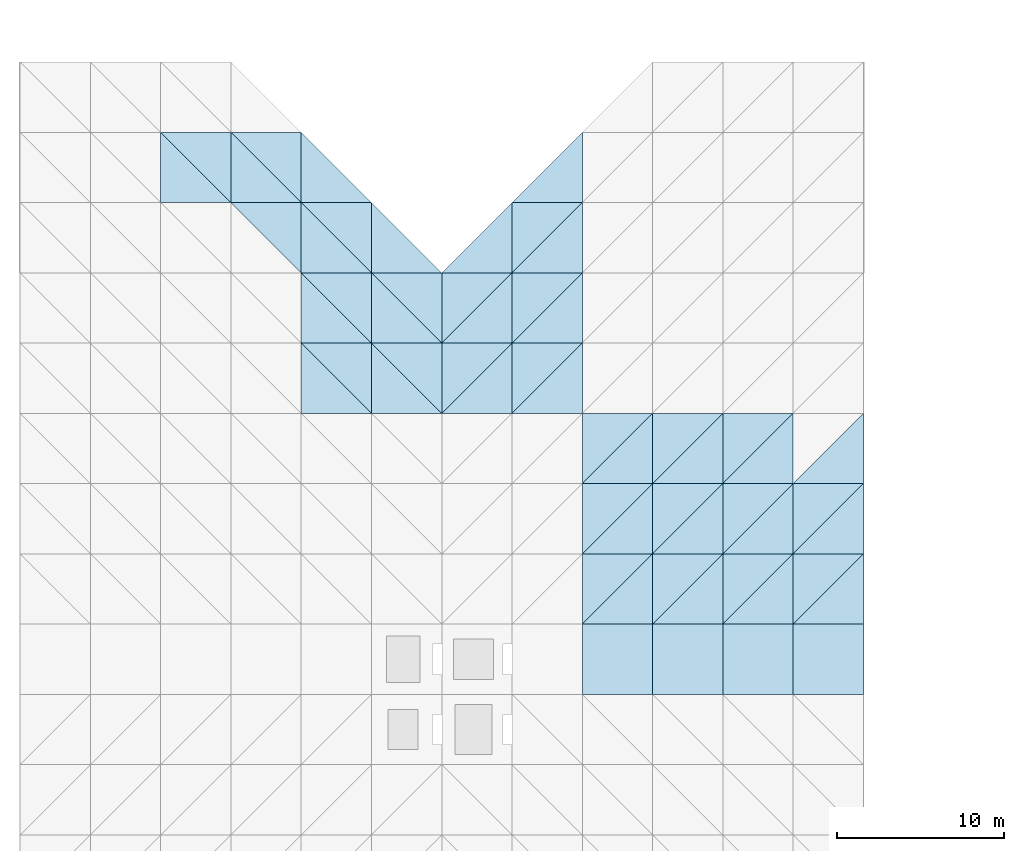
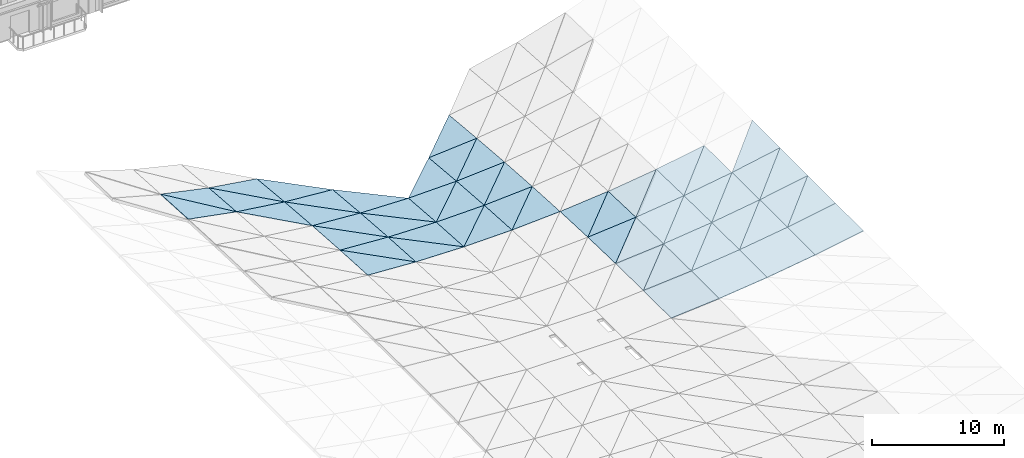
# One storey, part 23 of 31: 56 roofs.
"""IFC4 building model written with IfcOpenShell, lengths in metres."""

from ifc_helpers import new_model, si_unit, direction, frame, origin, place, context, subcontext, project, spatial, polyline, outline, extrude, material, layer, layer_set, type_object, element, save


model = new_model("IFC4")

# Units and contexts
model_context = context("Model", 3, precision=1e-05, world=origin(), true_north=direction((0.0, 1.0)))
body_context = subcontext(model_context, "Body", "Model", "MODEL_VIEW")
ifc_project = project(units=[si_unit("LENGTHUNIT", "METRE"), si_unit("AREAUNIT", "SQUARE_METRE"), si_unit("VOLUMEUNIT", "CUBIC_METRE"), si_unit("PLANEANGLEUNIT", "RADIAN"), si_unit("MASSUNIT", "GRAM", prefix="KILO")], contexts=[model_context])

# Site, building, storey
site_placement = place(None, origin())
site = spatial("IfcSite", under=ifc_project, at=site_placement, CompositionType="ELEMENT")
building_placement = place(site_placement, origin())
building = spatial("IfcBuilding", under=site, at=building_placement, Name="Cumbredor Promenade Congress Hotel", CompositionType="ELEMENT")
storey_placement = place(building_placement, frame((0.0, 0.0, 31.919921875)))
storey = spatial("IfcBuildingStorey", under=building, at=storey_placement, Name="L09", CompositionType="ELEMENT", Elevation=31.919921875)

# Roofs
ifc_material = material(Name="Standing-seam zinc-aluminium roofing", Category="aluminium")
ifc_layer = layer(ifc_material, 0.050048828125, Name="Standing-seam zinc-aluminium roofing", Category="aluminium")
ifc_layer_set = layer_set([ifc_layer], Name="Standing-seam zinc-aluminium roofing")
roof_type = type_object("IfcRoofType", Name="Sweeping Pavilion Standing-Seam Roof Skin 50mm", PredefinedType="FREEFORM", material=ifc_layer_set)
roof_1_placement = place(storey_placement, frame((16.800048828125, 63.0, 1.517578125), z_axis=(0.183105679029, 0.054092921072, 0.981603925317), x_axis=(0.9830431928, 0.0, -0.183374156002)))
element("IfcRoof", 1, at=roof_1_placement, inside=storey, type_object=roof_type, Name="Plenary Congress Hall Standing-Seam Roof Skin 6.16.1", PredefinedType="FREEFORM", context=body_context, shape_type="SweptSolid", body=[
    extrude(outline(polyline([(0.0, 0.0), (4.272397390710451, 6.938893903907228e-18), (0.04244108884021584, 4.206109310608851), (0.0, 0.0)])), origin(), (0.0, 0.0, -1.0), 0.050048828125),
])
roof_2_placement = place(storey_placement, frame((21.0, 63.0, 0.734130859375), z_axis=(0.205733512795, 0.077518663724, 0.975532971502), x_axis=(0.0, 0.996857698391, -0.079213188031)))
element("IfcRoof", 2, at=roof_2_placement, inside=storey, type_object=roof_type, Name="Plenary Congress Hall Standing-Seam Roof Skin 6.16.2", PredefinedType="FREEFORM", context=body_context, shape_type="SweptSolid", body=[
    extrude(outline(polyline([(0.0, 0.0), (4.21319028649014, 0.0), (4.1430278240445295, 4.291760279618963), (0.0, 0.0)])), origin(), (0.0, 0.0, -1.0), 0.050048828125),
])
roof_3_placement = place(storey_placement, frame((25.199951171875, 58.800048828125, 0.52294921875), z_axis=(0.131677216487, 0.082003953399, 0.987894965209), x_axis=(0.0, 0.996572474205, -0.082724262813)))
element("IfcRoof", 3, at=roof_3_placement, inside=storey, type_object=roof_type, Name="Plenary Congress Hall Standing-Seam Roof Skin 7.15.2", PredefinedType="FREEFORM", context=body_context, shape_type="SweptSolid", body=[
    extrude(outline(polyline([(0.0, 0.0), (4.214396123299973, 6.938893903907228e-18), (4.168085885353404, 4.23684286113176), (0.0, 0.0)])), origin(), (0.0, 0.0, -1.0), 0.050048828125),
])
roof_4_placement = place(storey_placement, frame((21.0, 63.0, 0.734130859375), z_axis=(0.131714249465, 0.078523061063, 0.988172801371), x_axis=(0.99123343534, 0.0, -0.132122203525)))
element("IfcRoof", 4, at=roof_4_placement, inside=storey, type_object=roof_type, Name="Plenary Congress Hall Standing-Seam Roof Skin 7.16.1", PredefinedType="FREEFORM", context=body_context, shape_type="SweptSolid", body=[
    extrude(outline(polyline([(0.0, 0.0), (4.237095947469426, 6.938893903907228e-18), (0.04409449517045616, 4.212959537625602), (0.0, 0.0)])), origin(), (0.0, 0.0, -1.0), 0.050048828125),
])
roof_5_placement = place(storey_placement, frame((25.199951171875, 63.0, 0.17431640625), z_axis=(0.148311221461, 0.095326579843, 0.984335626077), x_axis=(0.0, 0.995343390259, -0.096392611066)))
element("IfcRoof", 5, at=roof_5_placement, inside=storey, type_object=roof_type, Name="Plenary Congress Hall Standing-Seam Roof Skin 7.16.2", PredefinedType="FREEFORM", context=body_context, shape_type="SweptSolid", body=[
    extrude(outline(polyline([(0.0, 0.0), (4.219600203285661, 0.0), (4.158601754095357, 4.246918965024741), (0.0, 0.0)])), origin(), (0.0, 0.0, -1.0), 0.050048828125),
])
roof_6_placement = place(storey_placement, frame((25.199951171875, 50.39990234375, 1.0458984375), z_axis=(0.057481080112, 0.055160088201, 0.996821593917), x_axis=(0.998341545591, 0.0, -0.057568727154)))
element("IfcRoof", 6, at=roof_6_placement, inside=storey, type_object=roof_type, Name="Plenary Congress Hall Standing-Seam Roof Skin 8.13.1", PredefinedType="FREEFORM", context=body_context, shape_type="SweptSolid", body=[
    extrude(outline(polyline([(0.0, 0.0), (4.206928170445799, 0.0), (0.013380231506447997, 4.206599762341353), (0.0, 0.0)])), origin(), (0.0, 0.0, -1.0), 0.050048828125),
])
roof_7_placement = place(storey_placement, frame((29.39990234375, 50.39990234375, 0.8037109375), z_axis=(0.063347063869, 0.061027353173, 0.996123893732), x_axis=(0.0, 0.998128577258, -0.061150169753)))
element("IfcRoof", 7, at=roof_7_placement, inside=storey, type_object=roof_type, Name="Plenary Congress Hall Standing-Seam Roof Skin 8.13.2", PredefinedType="FREEFORM", context=body_context, shape_type="SweptSolid", body=[
    extrude(outline(polyline([(0.0, 0.0), (4.208070391129677, -3.469446951953614e-18), (4.191737801845072, 4.208403506948431), (0.0, 0.0)])), origin(), (0.0, 0.0, -1.0), 0.050048828125),
])
roof_8_placement = place(storey_placement, frame((25.199951171875, 54.60009765625, 0.8134765625), z_axis=(0.063314665209, 0.068870613893, 0.99561442924), x_axis=(0.997984042167, 0.0, -0.063465357329)))
element("IfcRoof", 8, at=roof_8_placement, inside=storey, type_object=roof_type, Name="Plenary Congress Hall Standing-Seam Roof Skin 8.14.1", PredefinedType="FREEFORM", context=body_context, shape_type="SweptSolid", body=[
    extrude(outline(polyline([(0.0, 0.0), (4.208435199782525, 0.0), (0.018438421684929335, 4.209947269052949), (0.0, 0.0)])), origin(), (0.0, 0.0, -1.0), 0.050048828125),
])
roof_9_placement = place(storey_placement, frame((29.39990234375, 54.60009765625, 0.54638671875), z_axis=(0.070649576012, 0.076199788203, 0.994586461645), x_axis=(0.0, 0.997077963354, -0.07639067347)))
element("IfcRoof", 9, at=roof_9_placement, inside=storey, type_object=roof_type, Name="Plenary Congress Hall Standing-Seam Roof Skin 8.14.2", PredefinedType="FREEFORM", context=body_context, shape_type="SweptSolid", body=[
    extrude(outline(polyline([(0.0, 0.0), (4.212259548637167, -3.469446951953614e-18), (4.1894691670502295, 4.2104723140058855), (0.0, 0.0)])), origin(), (0.0, 0.0, -1.0), 0.050048828125),
])
roof_10_placement = place(storey_placement, frame((25.199951171875, 58.800048828125, 0.52294921875), z_axis=(0.0706139374, 0.082517759908, 0.994084750484), x_axis=(0.997486584501, 0.0, -0.070855583692)))
element("IfcRoof", 10, at=roof_10_placement, inside=storey, type_object=roof_type, Name="Plenary Congress Hall Standing-Seam Roof Skin 8.15.1", PredefinedType="FREEFORM", context=body_context, shape_type="SweptSolid", body=[
    extrude(outline(polyline([(0.0, 0.0), (4.210533993272463, 0.0), (0.024702581424009537, 4.214323725884954), (0.0, 0.0)])), origin(), (0.0, 0.0, -1.0), 0.050048828125),
])
roof_11_placement = place(storey_placement, frame((29.39990234375, 58.800048828125, 0.224609375), z_axis=(0.079341587441, 0.091228399814, 0.992664239091), x_axis=(0.0, 0.995803522559, -0.091516908049)))
element("IfcRoof", 11, at=roof_11_placement, inside=storey, type_object=roof_type, Name="Plenary Congress Hall Standing-Seam Roof Skin 8.15.2", PredefinedType="FREEFORM", context=body_context, shape_type="SweptSolid", body=[
    extrude(outline(polyline([(0.0, 0.0), (4.217650446828614, 0.0), (4.186928828526051, 4.21323344473476), (0.0, 0.0)])), origin(), (0.0, 0.0, -1.0), 0.050048828125),
])
roof_12_placement = place(storey_placement, frame((25.199951171875, 63.0, 0.17431640625), z_axis=(0.079305156593, 0.096089011552, 0.992208442817), x_axis=(0.99682098753, 0.0, -0.079673827696)))
element("IfcRoof", 12, at=roof_12_placement, inside=storey, type_object=roof_type, Name="Plenary Congress Hall Standing-Seam Roof Skin 8.16.1", PredefinedType="FREEFORM", context=body_context, shape_type="SweptSolid", body=[
    extrude(outline(polyline([(0.0, 0.0), (4.21334544959972, 0.0), (0.032406395737666786, 4.219475761404927), (0.0, 0.0)])), origin(), (0.0, 0.0, -1.0), 0.050048828125),
])
roof_13_placement = place(storey_placement, frame((29.39990234375, 50.39990234375, 0.8037109375), z_axis=(0.01914218079, 0.06113896531, 0.997945691827), x_axis=(0.999816084135, 0.0, -0.01917805788)))
element("IfcRoof", 13, at=roof_13_placement, inside=storey, type_object=roof_type, Name="Plenary Congress Hall Standing-Seam Roof Skin 9.13.1", PredefinedType="FREEFORM", context=body_context, shape_type="SweptSolid", body=[
    extrude(outline(polyline([(0.0, 0.0), (4.200967937150082, 0.0), (0.004934978761071111, 4.208067497401498), (0.0, 0.0)])), origin(), (0.0, 0.0, -1.0), 0.050048828125),
])
roof_14_placement = place(storey_placement, frame((33.60009765625, 50.39990234375, 0.72314453125), z_axis=(0.021168874826, 0.063158642975, 0.997778965782), x_axis=(0.0, 0.998002603932, -0.063172799098)))
element("IfcRoof", 14, at=roof_14_placement, inside=storey, type_object=roof_type, Name="Plenary Congress Hall Standing-Seam Roof Skin 9.13.2", PredefinedType="FREEFORM", context=body_context, shape_type="SweptSolid", body=[
    extrude(outline(polyline([(0.0, 0.0), (4.208601556703087, 0.0), (4.202972144674094, 4.2011367273236155), (0.0, 0.0)])), origin(), (0.0, 0.0, -1.0), 0.050048828125),
])
roof_15_placement = place(storey_placement, frame((29.39990234375, 54.60009765625, 0.54638671875), z_axis=(0.021149270828, 0.076373587104, 0.996854946086), x_axis=(0.9997750167, 0.0, -0.021211223035)))
element("IfcRoof", 15, at=roof_15_placement, inside=storey, type_object=roof_type, Name="Plenary Congress Hall Standing-Seam Roof Skin 9.14.1", PredefinedType="FREEFORM", context=body_context, shape_type="SweptSolid", body=[
    extrude(outline(polyline([(0.0, 0.0), (4.20114049895349, 0.0), (0.00682529100591611, 4.212254018988846), (0.0, 0.0)])), origin(), (0.0, 0.0, -1.0), 0.050048828125),
])
roof_16_placement = place(storey_placement, frame((33.60009765625, 54.60009765625, 0.457275390625), z_axis=(0.023577150715, 0.078788179084, 0.996612532934), x_axis=(0.0, 0.996889647973, -0.078810086685)))
element("IfcRoof", 16, at=roof_16_placement, inside=storey, type_object=roof_type, Name="Plenary Congress Hall Standing-Seam Roof Skin 9.14.2", PredefinedType="FREEFORM", context=body_context, shape_type="SweptSolid", body=[
    extrude(outline(polyline([(0.0, 0.0), (4.213055256830932, -1.734723475976807e-18), (4.205224274096352, 4.201363205991453), (0.0, 0.0)])), origin(), (0.0, 0.0, -1.0), 0.050048828125),
])
roof_17_placement = place(storey_placement, frame((29.39990234375, 58.800048828125, 0.224609375), z_axis=(0.023551477331, 0.091491523591, 0.995527312044), x_axis=(0.999720283744, 0.0, -0.023650671674)))
element("IfcRoof", 17, at=roof_17_placement, inside=storey, type_object=roof_type, Name="Plenary Congress Hall Standing-Seam Roof Skin 9.15.1", PredefinedType="FREEFORM", context=body_context, shape_type="SweptSolid", body=[
    extrude(outline(polyline([(0.0, 0.0), (4.20137050412712, 0.0), (0.00912883591723474, 4.21764056742492), (0.0, 0.0)])), origin(), (0.0, 0.0, -1.0), 0.050048828125),
])
roof_18_placement = place(storey_placement, frame((33.60009765625, 50.39990234375, 0.72314453125), z_axis=(-0.019143293105, 0.061138964007, 0.99794567057), x_axis=(0.999816062759, 0.0, 0.019179172279)))
element("IfcRoof", 18, at=roof_18_placement, inside=storey, type_object=roof_type, Name="Plenary Congress Hall Standing-Seam Roof Skin 10.13.1", PredefinedType="FREEFORM", context=body_context, shape_type="SweptSolid", body=[
    extrude(outline(polyline([(0.0, 0.0), (4.200723841429025, 8.673617379884035e-19), (4.195788575906137, 4.208067497065191), (0.0, 0.0)])), origin(), (0.0, 0.0, -1.0), 0.050048828125),
])
roof_19_placement = place(storey_placement, frame((33.60009765625, 50.39990234375, 0.72314453125), z_axis=(-0.021170104809, 0.063158641329, 0.99777893979), x_axis=(0.706773357011, 0.70681444132, -0.029745039265)))
element("IfcRoof", 19, at=roof_19_placement, inside=storey, type_object=roof_type, Name="Plenary Congress Hall Standing-Seam Roof Skin 10.13.2", PredefinedType="FREEFORM", context=body_context, shape_type="SweptSolid", body=[
    extrude(outline(polyline([(0.0, 0.0), (5.94242996034122, -1.1275702593849246e-16), (2.976666991265541, 2.9751942266335827), (0.0, 0.0)])), origin(), (0.0, 0.0, -1.0), 0.050048828125),
])
roof_20_placement = place(storey_placement, frame((33.60009765625, 54.60009765625, 0.457275390625), z_axis=(-0.021150499672, 0.076373585118, 0.996854920166), x_axis=(0.999774990552, 0.0, 0.021212455476)))
element("IfcRoof", 20, at=roof_20_placement, inside=storey, type_object=roof_type, Name="Plenary Congress Hall Standing-Seam Roof Skin 10.14.1", PredefinedType="FREEFORM", context=body_context, shape_type="SweptSolid", body=[
    extrude(outline(polyline([(0.0, 0.0), (4.200896413259245, -8.673617379884035e-19), (4.194070725681804, 4.212254018346244), (0.0, 0.0)])), origin(), (0.0, 0.0, -1.0), 0.050048828125),
])
roof_21_placement = place(storey_placement, frame((33.60009765625, 54.60009765625, 0.457275390625), z_axis=(-0.023578520479, 0.078788176538, 0.996612500729), x_axis=(0.706564901353, 0.706564901353, -0.039141798)))
element("IfcRoof", 21, at=roof_21_placement, inside=storey, type_object=roof_type, Name="Plenary Congress Hall Standing-Seam Roof Skin 10.14.2", PredefinedType="FREEFORM", context=body_context, shape_type="SweptSolid", body=[
    extrude(outline(polyline([(0.0, 0.0), (5.944183137075707, -1.5959455978986625e-16), (2.9805343855624598, 2.9776247872407566), (0.0, 0.0)])), origin(), (0.0, 0.0, -1.0), 0.050048828125),
])
roof_22_placement = place(storey_placement, frame((33.60009765625, 58.800048828125, 0.125244140625), z_axis=(-0.023552845605, 0.091491520641, 0.995527279945), x_axis=(0.999720251237, 0.0, 0.023652045704)))
element("IfcRoof", 22, at=roof_22_placement, inside=storey, type_object=roof_type, Name="Plenary Congress Hall Standing-Seam Roof Skin 10.15.1", PredefinedType="FREEFORM", context=body_context, shape_type="SweptSolid", body=[
    extrude(outline(polyline([(0.0, 0.0), (4.201126431796189, 0.0), (4.191997065522085, 4.21764056627696), (0.0, 0.0)])), origin(), (0.0, 0.0, -1.0), 0.050048828125),
])
roof_23_placement = place(storey_placement, frame((37.800048828125, 50.39990234375, 0.8037109375), z_axis=(-0.057481080112, 0.055160088201, 0.996821593917), x_axis=(0.998341545591, 0.0, 0.057568727154)))
element("IfcRoof", 23, at=roof_23_placement, inside=storey, type_object=roof_type, Name="Plenary Congress Hall Standing-Seam Roof Skin 11.13.1", PredefinedType="FREEFORM", context=body_context, shape_type="SweptSolid", body=[
    extrude(outline(polyline([(0.0, 0.0), (4.206928170445799, 0.0), (4.193547938939352, 4.206599762341353), (0.0, 0.0)])), origin(), (0.0, 0.0, -1.0), 0.050048828125),
])
roof_24_placement = place(storey_placement, frame((37.800048828125, 50.39990234375, 0.8037109375), z_axis=(-0.063347063869, 0.061027353173, 0.996123893732), x_axis=(0.707085273992, 0.707126376432, 0.001644097597)))
element("IfcRoof", 24, at=roof_24_placement, inside=storey, type_object=roof_type, Name="Plenary Congress Hall Standing-Seam Roof Skin 11.13.2", PredefinedType="FREEFORM", context=body_context, shape_type="SweptSolid", body=[
    extrude(outline(polyline([(0.0, 0.0), (5.93980857239632, 2.389581588158052e-16), (2.9696458255062965, 2.9814526807842014), (0.0, 0.0)])), origin(), (0.0, 0.0, -1.0), 0.050048828125),
])
roof_25_placement = place(storey_placement, frame((37.800048828125, 54.60009765625, 0.54638671875), z_axis=(-0.063314665209, 0.068870613893, 0.99561442924), x_axis=(0.997984042167, 0.0, 0.063465357329)))
element("IfcRoof", 25, at=roof_25_placement, inside=storey, type_object=roof_type, Name="Plenary Congress Hall Standing-Seam Roof Skin 11.14.1", PredefinedType="FREEFORM", context=body_context, shape_type="SweptSolid", body=[
    extrude(outline(polyline([(0.0, 0.0), (4.208435199782525, 0.0), (4.189996778097596, 4.209947269052949), (0.0, 0.0)])), origin(), (0.0, 0.0, -1.0), 0.050048828125),
])
roof_26_placement = place(storey_placement, frame((37.800048828125, 54.60009765625, 0.54638671875), z_axis=(-0.070649576012, 0.076199788203, 0.994586461645), x_axis=(0.707101276228, 0.707101276228, -0.003945923532)))
element("IfcRoof", 26, at=roof_26_placement, inside=storey, type_object=roof_type, Name="Plenary Congress Hall Standing-Seam Roof Skin 11.14.2", PredefinedType="FREEFORM", context=body_context, shape_type="SweptSolid", body=[
    extrude(outline(polyline([(0.0, 0.0), (5.939674150041786, -6.722053469410127e-17), (2.9710605425222147, 2.98595541791109), (0.0, 0.0)])), origin(), (0.0, 0.0, -1.0), 0.050048828125),
])
roof_27_placement = place(storey_placement, frame((37.800048828125, 58.800048828125, 0.224609375), z_axis=(-0.0706139374, 0.082517759908, 0.994084750484), x_axis=(0.997486584501, 0.0, 0.070855583692)))
element("IfcRoof", 27, at=roof_27_placement, inside=storey, type_object=roof_type, Name="Plenary Congress Hall Standing-Seam Roof Skin 11.15.1", PredefinedType="FREEFORM", context=body_context, shape_type="SweptSolid", body=[
    extrude(outline(polyline([(0.0, 0.0), (4.210533993272463, 0.0), (4.185831411848454, 4.214323725884954), (0.0, 0.0)])), origin(), (0.0, 0.0, -1.0), 0.050048828125),
])
roof_28_placement = place(storey_placement, frame((37.800048828125, 58.800048828125, 0.224609375), z_axis=(-0.079341587441, 0.091228399814, 0.992664239091), x_axis=(0.707081434119, 0.707081434119, -0.008467056643)))
element("IfcRoof", 28, at=roof_28_placement, inside=storey, type_object=roof_type, Name="Plenary Congress Hall Standing-Seam Roof Skin 11.15.2", PredefinedType="FREEFORM", context=body_context, shape_type="SweptSolid", body=[
    extrude(outline(polyline([(0.0, 0.0), (5.939840829094166, -2.5240226575462543e-16), (2.9729756659431446, 2.991653553027744), (0.0, 0.0)])), origin(), (0.0, 0.0, -1.0), 0.050048828125),
])
roof_29_placement = place(storey_placement, frame((37.800048828125, 63.0, -0.161376953125), z_axis=(-0.079305156593, 0.096089011552, 0.992208442817), x_axis=(0.99682098753, 0.0, 0.079673827696)))
element("IfcRoof", 29, at=roof_29_placement, inside=storey, type_object=roof_type, Name="Plenary Congress Hall Standing-Seam Roof Skin 11.16.1", PredefinedType="FREEFORM", context=body_context, shape_type="SweptSolid", body=[
    extrude(outline(polyline([(0.0, 0.0), (4.21334544959972, 0.0), (4.180939053862053, 4.219475761404927), (0.0, 0.0)])), origin(), (0.0, 0.0, -1.0), 0.050048828125),
])
roof_30_placement = place(storey_placement, frame((42.0, 33.60009765625, 1.394287109375), z_axis=(-0.080940322755, 0.0, 0.99671894943), x_axis=(0.99671894943, 0.0, 0.080940322755)))
element("IfcRoof", 30, at=roof_30_placement, inside=storey, type_object=roof_type, Name="Plenary Congress Hall Standing-Seam Roof Skin 12.9", PredefinedType="FREEFORM", context=body_context, shape_type="SweptSolid", body=[
    extrude(outline(polyline([(0.0, 0.0), (4.213776786603633, 0.0), (4.213776786603633, 4.199951171875), (0.0, 4.199951171875), (0.0, 0.0)])), origin(), (0.0, 0.0, -1.0), 0.050048828125),
])
roof_31_placement = place(storey_placement, frame((42.0, 37.800048828125, 1.394287109375), z_axis=(-0.080935104298, 0.011355247274, 0.99665468807), x_axis=(0.99671894943, 0.0, 0.080940322755)))
element("IfcRoof", 31, at=roof_31_placement, inside=storey, type_object=roof_type, Name="Plenary Congress Hall Standing-Seam Roof Skin 12.10.1", PredefinedType="FREEFORM", context=body_context, shape_type="SweptSolid", body=[
    extrude(outline(polyline([(0.0, 0.0), (4.213776786603633, 0.0), (4.209903665690555, 4.200221972360778), (0.0, 0.0)])), origin(), (0.0, 0.0, -1.0), 0.050048828125),
])
roof_32_placement = place(storey_placement, frame((42.0, 37.800048828125, 1.394287109375), z_axis=(-0.083349162812, 0.01378533756, 0.996425050632), x_axis=(0.706246758783, 0.706246758783, 0.049305490746)))
element("IfcRoof", 32, at=roof_32_placement, inside=storey, type_object=roof_type, Name="Plenary Congress Hall Standing-Seam Roof Skin 12.10.2", PredefinedType="FREEFORM", context=body_context, shape_type="SweptSolid", body=[
    extrude(outline(polyline([(0.0, 0.0), (5.94686080983043, 9.020562075079397e-17), (2.9633369835308745, 2.9768439686471617), (0.0, 0.0)])), origin(), (0.0, 0.0, -1.0), 0.050048828125),
])
roof_33_placement = place(storey_placement, frame((42.0, 42.0, 1.336181640625), z_axis=(-0.083335819886, 0.022585802471, 0.996265538223), x_axis=(0.99651974221, 0.0, 0.083357083592)))
element("IfcRoof", 33, at=roof_33_placement, inside=storey, type_object=roof_type, Name="Plenary Congress Hall Standing-Seam Roof Skin 12.11.1", PredefinedType="FREEFORM", context=body_context, shape_type="SweptSolid", body=[
    extrude(outline(polyline([(0.0, 0.0), (4.214619132942873, -1.734723475976807e-18), (4.206682301253163, 4.201022818232157), (0.0, 0.0)])), origin(), (0.0, 0.0, -1.0), 0.050048828125),
])
roof_34_placement = place(storey_placement, frame((42.0, 42.0, 1.336181640625), z_axis=(-0.08821024905, 0.027493351902, 0.995722384786), x_axis=(0.70645039027, 0.70645039027, 0.043077745707)))
element("IfcRoof", 34, at=roof_34_placement, inside=storey, type_object=roof_type, Name="Plenary Congress Hall Standing-Seam Roof Skin 12.11.2", PredefinedType="FREEFORM", context=body_context, shape_type="SweptSolid", body=[
    extrude(outline(polyline([(0.0, 0.0), (5.945146651091449, -1.3530843112619095e-16), (2.9620615562991697, 2.9798035976899846), (0.0, 0.0)])), origin(), (0.0, 0.0, -1.0), 0.050048828125),
])
roof_35_placement = place(storey_placement, frame((42.0, 46.199951171875, 1.22021484375), z_axis=(-0.088192852342, 0.033911424851, 0.995526009736), x_axis=(0.996098923772, 0.0, 0.088243606338)))
element("IfcRoof", 35, at=roof_35_placement, inside=storey, type_object=roof_type, Name="Plenary Congress Hall Standing-Seam Roof Skin 12.12.1", PredefinedType="FREEFORM", context=body_context, shape_type="SweptSolid", body=[
    extrude(outline(polyline([(0.0, 0.0), (4.216399668387478, 0.0), (4.20377497275419, 4.202368196599584), (0.0, 0.0)])), origin(), (0.0, 0.0, -1.0), 0.050048828125),
])
roof_36_placement = place(storey_placement, frame((42.0, 46.199951171875, 1.22021484375), z_axis=(-0.095508545961, 0.041279117322, 0.994572346349), x_axis=(0.706581806393, 0.706581806393, 0.038526636889)))
element("IfcRoof", 36, at=roof_36_placement, inside=storey, type_object=roof_type, Name="Plenary Congress Hall Standing-Seam Roof Skin 12.12.2", PredefinedType="FREEFORM", context=body_context, shape_type="SweptSolid", body=[
    extrude(outline(polyline([(0.0, 0.0), (5.944040921910458, -3.191891195797325e-16), (2.9608932608967993, 2.9838041412260994), (0.0, 0.0)])), origin(), (0.0, 0.0, -1.0), 0.050048828125),
])
roof_37_placement = place(storey_placement, frame((46.199951171875, 33.60009765625, 1.7353515625), z_axis=(-0.11285914596, 0.0, 0.993610996906), x_axis=(0.993610996906, 0.0, 0.11285914596)))
element("IfcRoof", 37, at=roof_37_placement, inside=storey, type_object=roof_type, Name="Plenary Congress Hall Standing-Seam Roof Skin 13.9", PredefinedType="FREEFORM", context=body_context, shape_type="SweptSolid", body=[
    extrude(outline(polyline([(0.0, 0.0), (4.226957214596029, 0.0), (4.226957214596029, 4.199951171875), (0.0, 4.199951171875), (0.0, 0.0)])), origin(), (0.0, 0.0, -1.0), 0.050048828125),
])
roof_38_placement = place(storey_placement, frame((46.199951171875, 37.800048828125, 1.7353515625), z_axis=(-0.11285566428, 0.007854846644, 0.993580344222), x_axis=(0.993610996906, 0.0, 0.11285914596)))
element("IfcRoof", 38, at=roof_38_placement, inside=storey, type_object=roof_type, Name="Plenary Congress Hall Standing-Seam Roof Skin 13.10.1", PredefinedType="FREEFORM", context=body_context, shape_type="SweptSolid", body=[
    extrude(outline(polyline([(0.0, 0.0), (4.226957214596029, 0.0), (4.223209938265316, 4.200080743457684), (0.0, 0.0)])), origin(), (0.0, 0.0, -1.0), 0.050048828125),
])
roof_39_placement = place(storey_placement, frame((46.199951171875, 37.800048828125, 1.7353515625), z_axis=(-0.116271015302, 0.011315352035, 0.993153066656), x_axis=(0.705140750978, 0.705140750978, 0.074518740062)))
element("IfcRoof", 39, at=roof_39_placement, inside=storey, type_object=roof_type, Name="Plenary Congress Hall Standing-Seam Roof Skin 13.10.2", PredefinedType="FREEFORM", context=body_context, shape_type="SweptSolid", body=[
    extrude(outline(polyline([(0.0, 0.0), (5.95618841493677, 6.036837696399289e-16), (2.957990885259411, 2.981974101311098), (0.0, 0.0)])), origin(), (0.0, 0.0, -1.0), 0.050048828125),
])
roof_40_placement = place(storey_placement, frame((46.199951171875, 42.0, 1.6875), z_axis=(-0.116264229431, 0.015644293037, 0.993095103729), x_axis=(0.993216653027, 0.0, 0.116278459524)))
element("IfcRoof", 40, at=roof_40_placement, inside=storey, type_object=roof_type, Name="Plenary Congress Hall Standing-Seam Roof Skin 13.11.1", PredefinedType="FREEFORM", context=body_context, shape_type="SweptSolid", body=[
    extrude(outline(polyline([(0.0, 0.0), (4.228635473513123, 0.0), (4.220942245356118, 4.200465222459491), (0.0, 0.0)])), origin(), (0.0, 0.0, -1.0), 0.050048828125),
])
roof_41_placement = place(storey_placement, frame((46.199951171875, 42.0, 1.6875), z_axis=(-0.123016640943, 0.022492494125, 0.992149683142), x_axis=(0.705299010005, 0.705299010005, 0.071460569345)))
element("IfcRoof", 41, at=roof_41_placement, inside=storey, type_object=roof_type, Name="Plenary Congress Hall Standing-Seam Roof Skin 13.11.2", PredefinedType="FREEFORM", context=body_context, shape_type="SweptSolid", body=[
    extrude(outline(polyline([(0.0, 0.0), (5.9548519313013655, 1.6653345369377348e-16), (2.955417296649581, 2.9856597788879102), (0.0, 0.0)])), origin(), (0.0, 0.0, -1.0), 0.050048828125),
])
roof_42_placement = place(storey_placement, frame((46.199951171875, 46.199951171875, 1.59228515625), z_axis=(-0.123014035395, 0.023414767168, 0.992128668961), x_axis=(0.992400748769, 0.0, 0.123047770571)))
element("IfcRoof", 42, at=roof_42_placement, inside=storey, type_object=roof_type, Name="Plenary Congress Hall Standing-Seam Roof Skin 13.12.1", PredefinedType="FREEFORM", context=body_context, shape_type="SweptSolid", body=[
    extrude(outline(polyline([(0.0, 0.0), (4.232112054615011, 0.0), (4.219915425012562, 4.201102959888836), (0.0, 0.0)])), origin(), (0.0, 0.0, -1.0), 0.050048828125),
])
roof_43_placement = place(storey_placement, frame((46.199951171875, 46.199951171875, 1.59228515625), z_axis=(-0.133178350958, 0.033740818704, 0.990517583887), x_axis=(0.705331922538, 0.705331922538, 0.070807895729)))
element("IfcRoof", 43, at=roof_43_placement, inside=storey, type_object=roof_type, Name="Plenary Congress Hall Standing-Seam Roof Skin 13.12.2", PredefinedType="FREEFORM", context=body_context, shape_type="SweptSolid", body=[
    extrude(outline(polyline([(0.0, 0.0), (5.954574063175776, -8.326672684688674e-17), (2.9522294034484955, 2.990718875478873), (0.0, 0.0)])), origin(), (0.0, 0.0, -1.0), 0.050048828125),
])
roof_44_placement = place(storey_placement, frame((50.39990234375, 33.60009765625, 2.21240234375), z_axis=(-0.144480539233, 0.0, 0.989507642104), x_axis=(0.989507642104, 0.0, 0.144480539233)))
element("IfcRoof", 44, at=roof_44_placement, inside=storey, type_object=roof_type, Name="Plenary Congress Hall Standing-Seam Roof Skin 14.9", PredefinedType="FREEFORM", context=body_context, shape_type="SweptSolid", body=[
    extrude(outline(polyline([(0.0, 0.0), (4.244732565751173, 0.0), (4.244732565751173, 4.199951171875), (0.0, 4.199951171875), (0.0, 0.0)])), origin(), (0.0, 0.0, -1.0), 0.050048828125),
])
roof_45_placement = place(storey_placement, frame((50.39990234375, 37.800048828125, 2.21240234375), z_axis=(-0.144479735223, 0.003336111368, 0.989502135658), x_axis=(0.989507642104, 0.0, 0.144480539233)))
element("IfcRoof", 45, at=roof_45_placement, inside=storey, type_object=roof_type, Name="Plenary Congress Hall Standing-Seam Roof Skin 14.10.1", PredefinedType="FREEFORM", context=body_context, shape_type="SweptSolid", body=[
    extrude(outline(polyline([(0.0, 0.0), (4.244732565751173, 0.0), (4.242686698740548, 4.199974544040402), (0.0, 0.0)])), origin(), (0.0, 0.0, -1.0), 0.050048828125),
])
roof_46_placement = place(storey_placement, frame((50.39990234375, 37.800048828125, 2.21240234375), z_axis=(-0.148864290037, 0.007817266528, 0.988826735832), x_axis=(0.703557443714, 0.703516548722, 0.10035631056)))
element("IfcRoof", 46, at=roof_46_placement, inside=storey, type_object=roof_type, Name="Plenary Congress Hall Standing-Seam Roof Skin 14.10.2", PredefinedType="FREEFORM", context=body_context, shape_type="SweptSolid", body=[
    extrude(outline(polyline([(0.0, 0.0), (5.969939412946949, 2.498001805406602e-16), (2.9514030101137387, 2.988295930047009), (0.0, 0.0)])), origin(), (0.0, 0.0, -1.0), 0.050048828125),
])
roof_47_placement = place(storey_placement, frame((50.39990234375, 42.0, 2.17919921875), z_axis=(-0.148865472185, 0.006725201815, 0.988834588216), x_axis=(0.988856950647, 0.0, 0.148868838769)))
element("IfcRoof", 47, at=roof_47_placement, inside=storey, type_object=roof_type, Name="Plenary Congress Hall Standing-Seam Roof Skin 14.11.1", PredefinedType="FREEFORM", context=body_context, shape_type="SweptSolid", body=[
    extrude(outline(polyline([(0.0, 0.0), (4.247525701012859, 8.673617379884035e-19), (4.243273344046076, 4.200046153505548), (0.0, 0.0)])), origin(), (0.0, 0.0, -1.0), 0.050048828125),
])
roof_48_placement = place(storey_placement, frame((50.39990234375, 42.0, 2.17919921875), z_axis=(-0.157487866075, 0.015554552705, 0.987398413979), x_axis=(0.70350237626, 0.703461484469, 0.101125399703)))
element("IfcRoof", 48, at=roof_48_placement, inside=storey, type_object=roof_type, Name="Plenary Congress Hall Standing-Seam Roof Skin 14.11.2", PredefinedType="FREEFORM", context=body_context, shape_type="SweptSolid", body=[
    extrude(outline(polyline([(0.0, 0.0), (5.970406716788122, 6.938893903907228e-16), (2.947813216308436, 2.9923844192563984), (0.0, 0.0)])), origin(), (0.0, 0.0, -1.0), 0.050048828125),
])
roof_49_placement = place(storey_placement, frame((50.39990234375, 46.199951171875, 2.113037109375), z_axis=(-0.157498883251, 0.010102556409, 0.987467488138), x_axis=(0.987517883274, 0.0, 0.157506921164)))
element("IfcRoof", 49, at=roof_49_placement, inside=storey, type_object=roof_type, Name="Plenary Congress Hall Standing-Seam Roof Skin 14.12.1", PredefinedType="FREEFORM", context=body_context, shape_type="SweptSolid", body=[
    extrude(outline(polyline([(0.0, 0.0), (4.2532853162879265, 0.0), (4.246517440769167, 4.200165515247193), (0.0, 0.0)])), origin(), (0.0, 0.0, -1.0), 0.050048828125),
])
roof_50_placement = place(storey_placement, frame((50.39990234375, 46.199951171875, 2.113037109375), z_axis=(-0.170294332802, 0.02324933361, 0.985118931247), x_axis=(0.703220870419, 0.703179994991, 0.104968100165)))
element("IfcRoof", 50, at=roof_50_placement, inside=storey, type_object=roof_type, Name="Plenary Congress Hall Standing-Seam Roof Skin 14.12.2", PredefinedType="FREEFORM", context=body_context, shape_type="SweptSolid", body=[
    extrude(outline(polyline([(0.0, 0.0), (5.972796726009385, 1.942890293094024e-16), (2.942917091102522, 2.9981083756690743), (0.0, 0.0)])), origin(), (0.0, 0.0, -1.0), 0.050048828125),
])
roof_51_placement = place(storey_placement, frame((54.60009765625, 33.60009765625, 2.82568359375), z_axis=(-0.175792619048, 0.0, 0.984427221834), x_axis=(0.984427221834, 0.0, 0.175792619048)))
element("IfcRoof", 51, at=roof_51_placement, inside=storey, type_object=roof_type, Name="Plenary Congress Hall Standing-Seam Roof Skin 15.9", PredefinedType="FREEFORM", context=body_context, shape_type="SweptSolid", body=[
    extrude(outline(polyline([(0.0, 0.0), (4.266390728254292, 0.0), (4.266390728254292, 4.199951171875), (0.0, 4.199951171875), (0.0, 0.0)])), origin(), (0.0, 0.0, -1.0), 0.050048828125),
])
roof_52_placement = place(storey_placement, frame((54.60009765625, 37.800048828125, 2.82568359375), z_axis=(-0.175792266462, -0.002002841578, 0.984425247379), x_axis=(0.984427221834, 0.0, 0.175792619048)))
element("IfcRoof", 52, at=roof_52_placement, inside=storey, type_object=roof_type, Name="Plenary Congress Hall Standing-Seam Roof Skin 15.10.1", PredefinedType="FREEFORM", context=body_context, shape_type="SweptSolid", body=[
    extrude(outline(polyline([(0.0, 0.0), (4.266390728254292, -2.168404344971009e-19), (4.267892862450255, 4.199959595688616), (0.0, 0.0)])), origin(), (0.0, 0.0, -1.0), 0.050048828125),
])
roof_53_placement = place(storey_placement, frame((54.60009765625, 37.800048828125, 2.82568359375), z_axis=(-0.180941710995, 0.003315835462, 0.983488231987), x_axis=(0.701410045685, 0.701410045685, 0.126680289016)))
element("IfcRoof", 53, at=roof_53_placement, inside=storey, type_object=roof_type, Name="Plenary Congress Hall Standing-Seam Roof Skin 15.10.2", PredefinedType="FREEFORM", context=body_context, shape_type="SweptSolid", body=[
    extrude(outline(polyline([(0.0, 0.0), (5.987868576611441, -2.220446049250313e-16), (2.944094130652084, 2.995346408350654), (0.0, 0.0)])), origin(), (0.0, 0.0, -1.0), 0.050048828125),
])
roof_54_placement = place(storey_placement, frame((54.60009765625, 42.0, 2.8115234375), z_axis=(-0.180941215122, -0.004059028838, 0.983485536729), x_axis=(0.983493638643, 0.0, 0.180942705709)))
element("IfcRoof", 54, at=roof_54_placement, inside=storey, type_object=roof_type, Name="Plenary Congress Hall Standing-Seam Roof Skin 15.11.1", PredefinedType="FREEFORM", context=body_context, shape_type="SweptSolid", body=[
    extrude(outline(polyline([(0.0, 0.0), (4.2704406077001416, 0.0), (4.273577065733663, 4.199985770902028), (0.0, 0.0)])), origin(), (0.0, 0.0, -1.0), 0.050048828125),
])
roof_55_placement = place(storey_placement, frame((54.60009765625, 42.0, 2.8115234375), z_axis=(-0.191303667599, 0.006675374026, 0.981508199734), x_axis=(0.700933483909, 0.700933483909, 0.131850302501)))
element("IfcRoof", 55, at=roof_55_placement, inside=storey, type_object=roof_type, Name="Plenary Congress Hall Standing-Seam Roof Skin 15.11.2", PredefinedType="FREEFORM", context=body_context, shape_type="SweptSolid", body=[
    extrude(outline(polyline([(0.0, 0.0), (5.991939703680624, -9.71445146547012e-17), (2.940120175365751, 2.9993497842905517), (0.0, 0.0)])), origin(), (0.0, 0.0, -1.0), 0.050048828125),
])
roof_56_placement = place(storey_placement, frame((54.60009765625, 46.199951171875, 2.782958984375), z_axis=(-0.191304497087, -0.005990746255, 0.981512455527), x_axis=(0.981530068771, 0.0, 0.191307930046)))
element("IfcRoof", 56, at=roof_56_placement, inside=storey, type_object=roof_type, Name="Plenary Congress Hall Standing-Seam Roof Skin 15.12.1", PredefinedType="FREEFORM", context=body_context, shape_type="SweptSolid", body=[
    extrude(outline(polyline([(0.0, 0.0), (4.2789837066677165, 0.0), (4.283887840616661, 4.200026540012936), (0.0, 0.0)])), origin(), (0.0, 0.0, -1.0), 0.050048828125),
])

save(model, "model.ifc")
